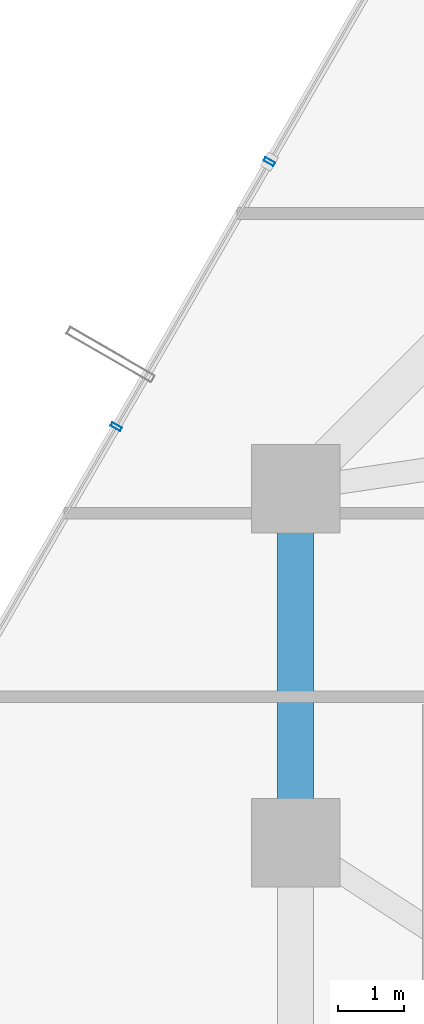
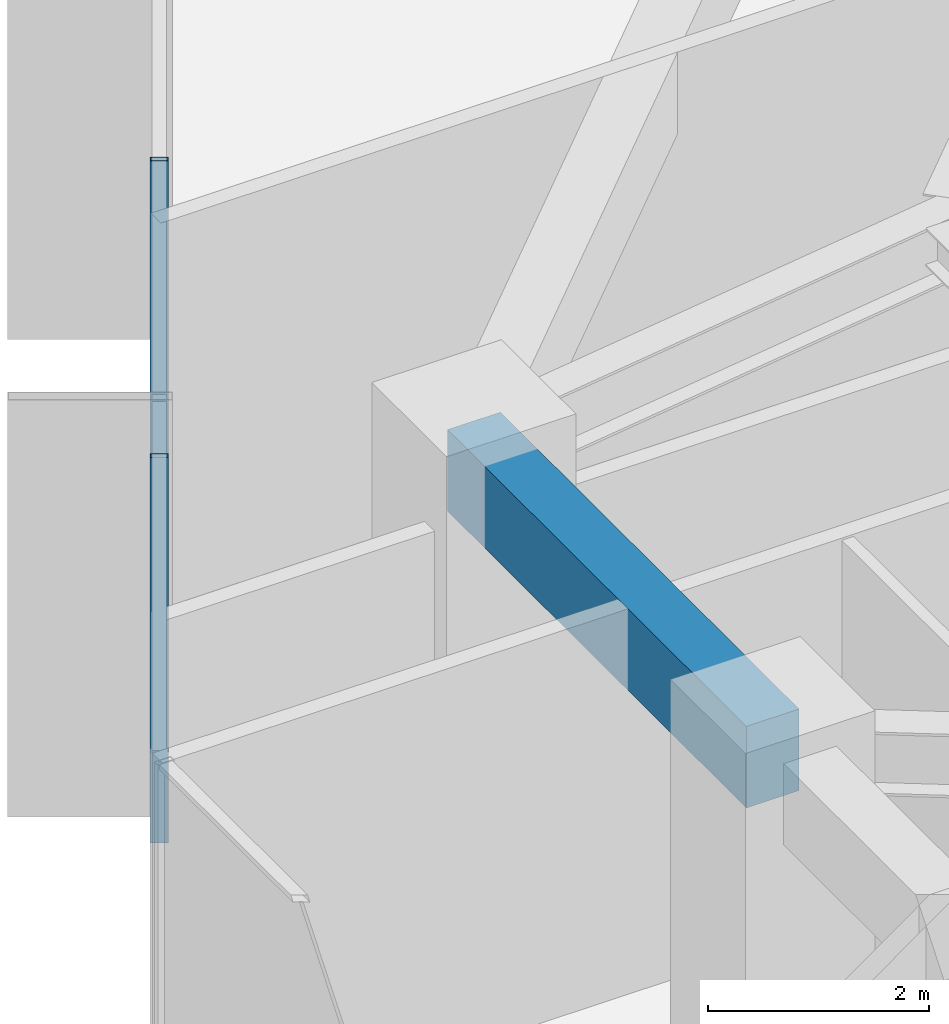
# One storey, part 12 of 39: 2 members, 1 beam, 1 element without a shape of its own.
"""IFC4 building model written with IfcOpenShell, lengths in metres."""

from ifc_helpers import new_model, si_unit, direction, frame, origin, origin_2d, place, context, subcontext, project, spatial, rectangle, hollow_rectangle, extrude, source, transform, mapped, material, layer, layer_set, material_profile, profile_set, type_object, element, aggregate, save


model = new_model("IFC4")

# Units and contexts
model_context = context("Model", 3, precision=1e-05, world=origin(), true_north=direction((0.0, 1.0)))
body_context = subcontext(model_context, "Body", "Model", "MODEL_VIEW")
ifc_project = project(units=[si_unit("LENGTHUNIT", "METRE"), si_unit("AREAUNIT", "SQUARE_METRE"), si_unit("VOLUMEUNIT", "CUBIC_METRE"), si_unit("PLANEANGLEUNIT", "RADIAN"), si_unit("MASSUNIT", "GRAM", prefix="KILO")], contexts=[model_context])

# Site, building, storey
site_placement = place(None, origin())
site = spatial("IfcSite", under=ifc_project, at=site_placement, CompositionType="ELEMENT")
building_placement = place(site_placement, origin())
building = spatial("IfcBuilding", under=site, at=building_placement, Name="Veraguas Prism Commons", CompositionType="ELEMENT")
storey_placement = place(building_placement, frame((0.0, 0.0, 22.800048828125)))
storey = spatial("IfcBuildingStorey", under=building, at=storey_placement, Name="L05", CompositionType="ELEMENT", Elevation=22.800048828125)

# Beam
ifc_material_1 = material(Name="Concrete C50/60", Category="concrete")
ifc_material_profile_1 = material_profile(ifc_material_1, rectangle(XDim=0.550048828125, YDim=0.89990234375, at=origin_2d()), Name="RC550X900")
ifc_profile_set_1 = profile_set([ifc_material_profile_1], Name="Concrete C50/60")
beam_type = type_object("IfcBeamType", Name="Perimeter Spandrel Lower RC 550x900", PredefinedType="SPANDREL", material=ifc_profile_set_1)
beam_placement = place(storey_placement, frame((6.39990234375, 29.39990234375, 3.800048828125), z_axis=(0.0, -1.0, 0.0), x_axis=(1.0, 0.0, 0.0)))
element("IfcBeam", 1, at=beam_placement, inside=storey, type_object=beam_type, Name="Perimeter Spandrel Beam L05-SP07", PredefinedType="SPANDREL", context=body_context, shape_type="SweptSolid", body=[
    extrude(rectangle(XDim=0.550048828125, YDim=0.89990234375, at=origin_2d()), origin(), (0.0, 0.0, 1.0), 5.39990234375),
])

# Curtain wall, members
ifc_material_2 = material(Name="Anodised aluminium EN AW-6063 T6", Category="aluminium")
ifc_layer = layer(ifc_material_2, 0.169921875, Name="Unitised Flush Curtain Wall Zone 1", Category="aluminium")
ifc_layer_set = layer_set([ifc_layer], Name="Anodised aluminium EN AW-6063 T6")
curtain_wall_type = type_object("IfcCurtainWallType", Name="Unitised Flush Curtain Wall Zone 1", PredefinedType="NOTDEFINED", material=ifc_layer_set)
curtain_wall_placement = place(storey_placement, origin())
curtain_wall = element("IfcCurtainWall", 2, at=curtain_wall_placement, inside=storey, type_object=curtain_wall_type, Name="Tower Facade Curtain Wall L05-F3", PredefinedType="NOTDEFINED")
ifc_material_profile_2 = material_profile(ifc_material_2, hollow_rectangle(XDim=0.06005859375, YDim=0.169921875, WallThickness=0.00390625, at=origin_2d()), Name="AL60X170X4")
ifc_profile_set_2 = profile_set([ifc_material_profile_2], Name="Anodised aluminium EN AW-6063 T6")
member_type = type_object("IfcMemberType", Name="Curtain Wall Mullion Lower AL 60x170x4", PredefinedType="MULLION", material=ifc_profile_set_2)
shared_shape = source(origin(), body_context, "Body", "SweptSolid", [
    extrude(hollow_rectangle(XDim=0.06005859375, YDim=0.169921875, WallThickness=0.00390625, at=origin_2d()), origin(), (0.0, 0.0, 1.0), 4.25),
])
member_1_placement = place(storey_placement, frame((6.0, 34.392333984375, 0.0), z_axis=(0.0, 0.0, 1.0), x_axis=(-0.500004534492, -0.866022785779, 0.0)))
member_1 = element("IfcMember", 3, at=member_1_placement, type_object=member_type, Name="CW-Z1 Mullion 3", PredefinedType="MULLION", context=body_context, shape_type="MappedRepresentation", body=[
    mapped(shared_shape, transform((0.0, 0.0, 0.0), scale=1.0)),
])
member_2_placement = place(storey_placement, frame((3.66455078125, 30.34716796875, 0.0), z_axis=(0.0, 0.0, 1.0), x_axis=(-0.500004534492, -0.866022785779, 0.0)))
member_2 = element("IfcMember", 4, at=member_2_placement, type_object=member_type, Name="CW-Z1 Mullion 4", PredefinedType="MULLION", context=body_context, shape_type="MappedRepresentation", body=[
    mapped(shared_shape, transform((0.0, 0.0, 0.0), scale=1.0)),
])
aggregate(curtain_wall, [member_1, member_2])

save(model, "model.ifc")
